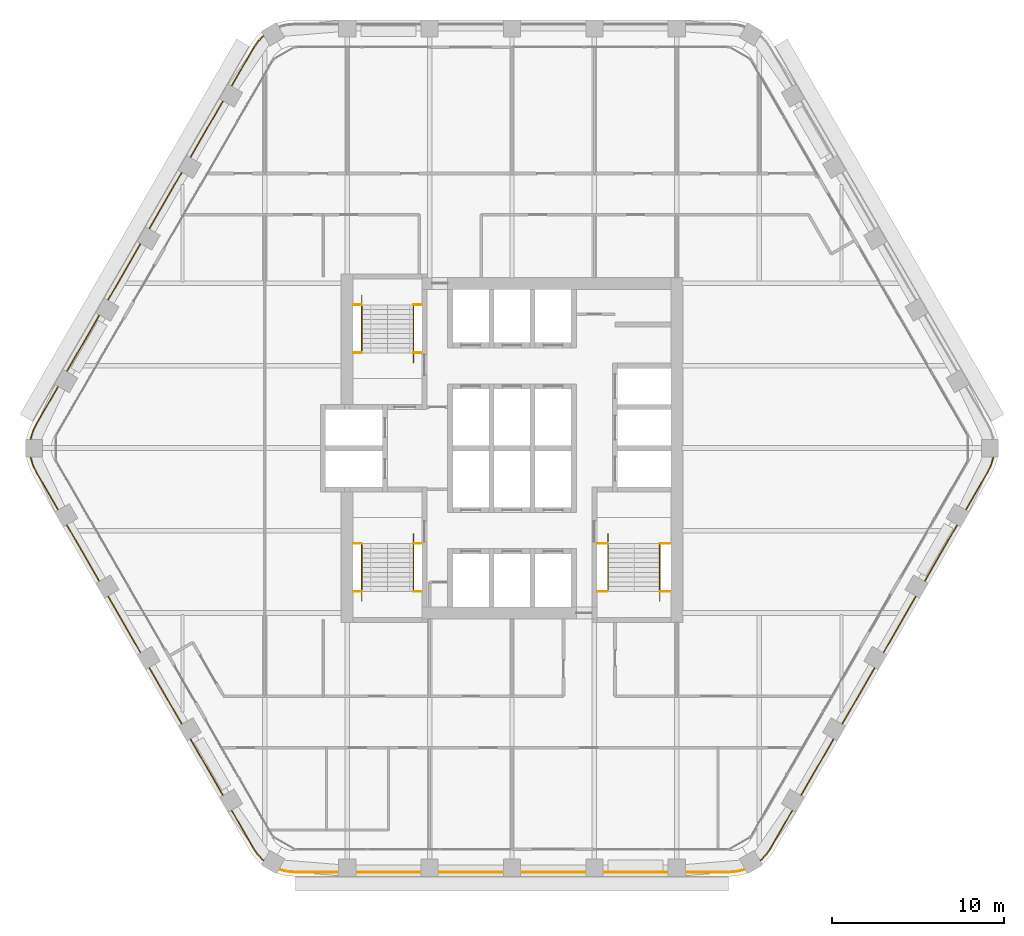
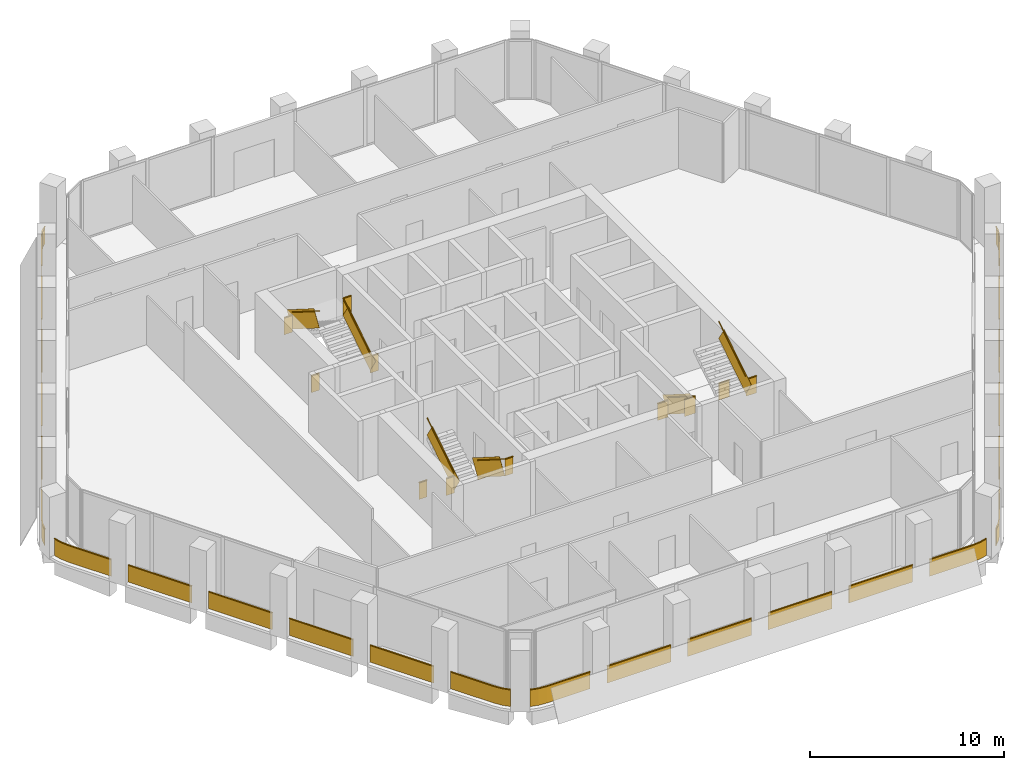
# One storey, part 14 of 15: 10 railings.
"""IFC4 building model written with IfcOpenShell, lengths in metres."""

from ifc_helpers import new_model, si_unit, direction, frame, frame_2d, origin, origin_2d, place, context, subcontext, project, spatial, rectangle, extrude, material, type_object, element, save


model = new_model("IFC4")

# Units and contexts
model_context = context("Model", 3, precision=1e-05, world=origin(), true_north=direction((0.0, 1.0)))
body_context = subcontext(model_context, "Body", "Model", "MODEL_VIEW")
ifc_project = project(units=[si_unit("LENGTHUNIT", "METRE"), si_unit("AREAUNIT", "SQUARE_METRE"), si_unit("VOLUMEUNIT", "CUBIC_METRE"), si_unit("PLANEANGLEUNIT", "RADIAN"), si_unit("MASSUNIT", "GRAM", prefix="KILO")], contexts=[model_context])

# Site, building, storey
site_placement = place(None, origin())
site = spatial("IfcSite", under=ifc_project, at=site_placement, CompositionType="ELEMENT")
building_placement = place(site_placement, origin())
building = spatial("IfcBuilding", under=site, at=building_placement, Name="Kolab Exchange Tower", CompositionType="ELEMENT")
storey_placement = place(building_placement, frame((0.0, 0.0, 201.199951171875)))
storey = spatial("IfcBuildingStorey", under=building, at=storey_placement, Name="L43", CompositionType="ELEMENT", Elevation=201.199951171875)

# Railings
ifc_material_1 = material(Name="Stainless steel 316", Category="steel")
railing_type_1 = type_object("IfcRailingType", Name="GUARD 1100", PredefinedType="GUARDRAIL", material=ifc_material_1)
railing_1_placement = place(storey_placement, frame((-9.25, 5.550048828125, 0.0)))
element("IfcRailing", 1, at=railing_1_placement, inside=storey, type_object=railing_type_1, Name="Guard ST1", PredefinedType="GUARDRAIL", context=body_context, shape_type="SweptSolid", body=[
    extrude(rectangle(XDim=0.05, YDim=0.05, at=origin_2d()), frame((0.0, 0.0, 1.0751953125), z_axis=(1.0, 0.0, 0.0), x_axis=(0.0, 1.0, 0.0)), (0.0, 0.0, 1.0), 0.489990234375),
    extrude(rectangle(XDim=0.012, YDim=1.05009765625, at=frame_2d((0.0, 0.525146484375))), frame((0.0, 0.0, 0.0), z_axis=(1.0, 0.0, 0.0), x_axis=(0.0, 1.0, 0.0)), (0.0, 0.0, 1.0), 0.489990234375),
    extrude(rectangle(XDim=0.05, YDim=0.05, at=origin_2d()), frame((3.510009765625, 0.0, 1.0751953125), z_axis=(1.0, 0.0, 0.0), x_axis=(0.0, 1.0, 0.0)), (0.0, 0.0, 1.0), 0.489990234375),
    extrude(rectangle(XDim=0.012, YDim=1.05009765625, at=frame_2d((0.0, 0.525146484375))), frame((3.510009765625, 0.0, 0.0), z_axis=(1.0, 0.0, 0.0), x_axis=(0.0, 1.0, 0.0)), (0.0, 0.0, 1.0), 0.489990234375),
    extrude(rectangle(XDim=0.05, YDim=0.05, at=origin_2d()), frame((0.0, 2.800048828125, 3.025146484375), z_axis=(1.0, 0.0, 0.0), x_axis=(0.0, 1.0, 0.0)), (0.0, 0.0, 1.0), 0.489990234375),
    extrude(rectangle(XDim=0.012, YDim=1.05009765625, at=frame_2d((0.0, 0.525146484375))), frame((0.0, 2.800048828125, 1.949951171875), z_axis=(1.0, 0.0, 0.0), x_axis=(0.0, 1.0, 0.0)), (0.0, 0.0, 1.0), 0.489990234375),
    extrude(rectangle(XDim=0.05, YDim=0.05, at=origin_2d()), frame((3.510009765625, 2.800048828125, 3.025146484375), z_axis=(1.0, 0.0, 0.0), x_axis=(0.0, 1.0, 0.0)), (0.0, 0.0, 1.0), 0.489990234375),
    extrude(rectangle(XDim=0.012, YDim=1.05009765625, at=frame_2d((0.0, 0.525146484375))), frame((3.510009765625, 2.800048828125, 1.949951171875), z_axis=(1.0, 0.0, 0.0), x_axis=(0.0, 1.0, 0.0)), (0.0, 0.0, 1.0), 0.489990234375),
])
railing_2_placement = place(storey_placement, frame((-5.739990234375, 5.550048828125, 0.17724609375)))
element("IfcRailing", 2, at=railing_2_placement, inside=storey, type_object=railing_type_1, Name="Handrail guard ST1", PredefinedType="GUARDRAIL", context=body_context, shape_type="SweptSolid", body=[
    extrude(rectangle(XDim=0.05, YDim=0.05, at=origin_2d()), frame((0.0, 0.0, 1.0751953125), z_axis=(0.0, 0.844908973607, 0.534910110503), x_axis=(-1.0, 0.0, 0.0)), (0.0, 0.0, 1.0), 3.31396484375),
    extrude(rectangle(XDim=0.012, YDim=1.05009765625, at=frame_2d((0.0, 0.525146484375))), frame((0.0, 0.0, 0.0), z_axis=(0.0, 0.844908973607, 0.534910110503), x_axis=(-1.0, 0.0, 0.0)), (0.0, 0.0, 1.0), 3.31396484375),
    extrude(rectangle(XDim=0.05, YDim=0.05, at=origin_2d()), frame((-3.02001953125, 2.800048828125, 3.025390625), z_axis=(0.0, -0.844908973607, 0.534910110503), x_axis=(1.0, 0.0, 0.0)), (0.0, 0.0, 1.0), 3.31396484375),
    extrude(rectangle(XDim=0.012, YDim=1.05009765625, at=frame_2d((0.0, 0.525146484375))), frame((-3.02001953125, 2.800048828125, 1.9501953125), z_axis=(0.0, -0.844908973607, 0.534910110503), x_axis=(1.0, 0.0, 0.0)), (0.0, 0.0, 1.0), 3.31396484375),
])
railing_3_placement = place(storey_placement, frame((-9.25, -5.550048828125, 0.0)))
element("IfcRailing", 3, at=railing_3_placement, inside=storey, type_object=railing_type_1, Name="Guard ST3", PredefinedType="GUARDRAIL", context=body_context, shape_type="SweptSolid", body=[
    extrude(rectangle(XDim=0.05, YDim=0.05, at=origin_2d()), frame((0.0, 0.0, 1.0751953125), z_axis=(1.0, 0.0, 0.0), x_axis=(0.0, 1.0, 0.0)), (0.0, 0.0, 1.0), 0.489990234375),
    extrude(rectangle(XDim=0.012, YDim=1.05009765625, at=frame_2d((0.0, 0.525146484375))), frame((0.0, 0.0, 0.0), z_axis=(1.0, 0.0, 0.0), x_axis=(0.0, 1.0, 0.0)), (0.0, 0.0, 1.0), 0.489990234375),
    extrude(rectangle(XDim=0.05, YDim=0.05, at=origin_2d()), frame((3.510009765625, 0.0, 1.0751953125), z_axis=(1.0, 0.0, 0.0), x_axis=(0.0, 1.0, 0.0)), (0.0, 0.0, 1.0), 0.489990234375),
    extrude(rectangle(XDim=0.012, YDim=1.05009765625, at=frame_2d((0.0, 0.525146484375))), frame((3.510009765625, 0.0, 0.0), z_axis=(1.0, 0.0, 0.0), x_axis=(0.0, 1.0, 0.0)), (0.0, 0.0, 1.0), 0.489990234375),
    extrude(rectangle(XDim=0.05, YDim=0.05, at=origin_2d()), frame((0.0, -2.800048828125, 3.025146484375), z_axis=(1.0, 0.0, 0.0), x_axis=(0.0, 1.0, 0.0)), (0.0, 0.0, 1.0), 0.489990234375),
    extrude(rectangle(XDim=0.012, YDim=1.05009765625, at=frame_2d((0.0, 0.525146484375))), frame((0.0, -2.800048828125, 1.949951171875), z_axis=(1.0, 0.0, 0.0), x_axis=(0.0, 1.0, 0.0)), (0.0, 0.0, 1.0), 0.489990234375),
    extrude(rectangle(XDim=0.05, YDim=0.05, at=origin_2d()), frame((3.510009765625, -2.800048828125, 3.025146484375), z_axis=(1.0, 0.0, 0.0), x_axis=(0.0, 1.0, 0.0)), (0.0, 0.0, 1.0), 0.489990234375),
    extrude(rectangle(XDim=0.012, YDim=1.05009765625, at=frame_2d((0.0, 0.525146484375))), frame((3.510009765625, -2.800048828125, 1.949951171875), z_axis=(1.0, 0.0, 0.0), x_axis=(0.0, 1.0, 0.0)), (0.0, 0.0, 1.0), 0.489990234375),
])
railing_4_placement = place(storey_placement, frame((-5.739990234375, -5.550048828125, 0.17724609375)))
element("IfcRailing", 4, at=railing_4_placement, inside=storey, type_object=railing_type_1, Name="Handrail guard ST3", PredefinedType="GUARDRAIL", context=body_context, shape_type="SweptSolid", body=[
    extrude(rectangle(XDim=0.05, YDim=0.05, at=origin_2d()), frame((0.0, 0.0, 1.0751953125), z_axis=(0.0, -0.844908973607, 0.534910110503), x_axis=(1.0, 0.0, 0.0)), (0.0, 0.0, 1.0), 3.31396484375),
    extrude(rectangle(XDim=0.012, YDim=1.05009765625, at=frame_2d((0.0, 0.525146484375))), frame((0.0, 0.0, 0.0), z_axis=(0.0, -0.844908973607, 0.534910110503), x_axis=(1.0, 0.0, 0.0)), (0.0, 0.0, 1.0), 3.31396484375),
    extrude(rectangle(XDim=0.05, YDim=0.05, at=origin_2d()), frame((-3.02001953125, -2.800048828125, 3.025390625), z_axis=(0.0, 0.844908973607, 0.534910110503), x_axis=(-1.0, 0.0, 0.0)), (0.0, 0.0, 1.0), 3.31396484375),
    extrude(rectangle(XDim=0.012, YDim=1.05009765625, at=frame_2d((0.0, 0.525146484375))), frame((-3.02001953125, -2.800048828125, 1.9501953125), z_axis=(0.0, 0.844908973607, 0.534910110503), x_axis=(-1.0, 0.0, 0.0)), (0.0, 0.0, 1.0), 3.31396484375),
])
railing_5_placement = place(storey_placement, frame((4.949951171875, -5.550048828125, 0.0)))
element("IfcRailing", 5, at=railing_5_placement, inside=storey, type_object=railing_type_1, Name="Guard ST2", PredefinedType="GUARDRAIL", context=body_context, shape_type="SweptSolid", body=[
    extrude(rectangle(XDim=0.05, YDim=0.05, at=origin_2d()), frame((0.0, 0.0, 1.0751953125), z_axis=(1.0, 0.0, 0.0), x_axis=(0.0, 1.0, 0.0)), (0.0, 0.0, 1.0), 0.64013671875),
    extrude(rectangle(XDim=0.012, YDim=1.05009765625, at=frame_2d((0.0, 0.525146484375))), frame((0.0, 0.0, 0.0), z_axis=(1.0, 0.0, 0.0), x_axis=(0.0, 1.0, 0.0)), (0.0, 0.0, 1.0), 0.64013671875),
    extrude(rectangle(XDim=0.05, YDim=0.05, at=origin_2d()), frame((3.66015625, 0.0, 1.0751953125), z_axis=(1.0, 0.0, 0.0), x_axis=(0.0, 1.0, 0.0)), (0.0, 0.0, 1.0), 0.639892578125),
    extrude(rectangle(XDim=0.012, YDim=1.05009765625, at=frame_2d((0.0, 0.525146484375))), frame((3.66015625, 0.0, 0.0), z_axis=(1.0, 0.0, 0.0), x_axis=(0.0, 1.0, 0.0)), (0.0, 0.0, 1.0), 0.639892578125),
    extrude(rectangle(XDim=0.05, YDim=0.05, at=origin_2d()), frame((0.0, -2.800048828125, 3.025146484375), z_axis=(1.0, 0.0, 0.0), x_axis=(0.0, 1.0, 0.0)), (0.0, 0.0, 1.0), 0.64013671875),
    extrude(rectangle(XDim=0.012, YDim=1.05009765625, at=frame_2d((0.0, 0.525146484375))), frame((0.0, -2.800048828125, 1.949951171875), z_axis=(1.0, 0.0, 0.0), x_axis=(0.0, 1.0, 0.0)), (0.0, 0.0, 1.0), 0.64013671875),
    extrude(rectangle(XDim=0.05, YDim=0.05, at=origin_2d()), frame((3.66015625, -2.800048828125, 3.025146484375), z_axis=(1.0, 0.0, 0.0), x_axis=(0.0, 1.0, 0.0)), (0.0, 0.0, 1.0), 0.639892578125),
    extrude(rectangle(XDim=0.012, YDim=1.05009765625, at=frame_2d((0.0, 0.525146484375))), frame((3.66015625, -2.800048828125, 1.949951171875), z_axis=(1.0, 0.0, 0.0), x_axis=(0.0, 1.0, 0.0)), (0.0, 0.0, 1.0), 0.639892578125),
])
railing_6_placement = place(storey_placement, frame((5.590087890625, -5.550048828125, 0.17724609375)))
element("IfcRailing", 6, at=railing_6_placement, inside=storey, type_object=railing_type_1, Name="Handrail guard ST2", PredefinedType="GUARDRAIL", context=body_context, shape_type="SweptSolid", body=[
    extrude(rectangle(XDim=0.05, YDim=0.05, at=origin_2d()), frame((0.0, 0.0, 1.0751953125), z_axis=(0.0, -0.844908973607, 0.534910110503), x_axis=(1.0, 0.0, 0.0)), (0.0, 0.0, 1.0), 3.31396484375),
    extrude(rectangle(XDim=0.012, YDim=1.05009765625, at=frame_2d((0.0, 0.525146484375))), frame((0.0, 0.0, 0.0), z_axis=(0.0, -0.844908973607, 0.534910110503), x_axis=(1.0, 0.0, 0.0)), (0.0, 0.0, 1.0), 3.31396484375),
    extrude(rectangle(XDim=0.05, YDim=0.05, at=origin_2d()), frame((3.02001953125, -2.800048828125, 3.025390625), z_axis=(0.0, 0.844908973607, 0.534910110503), x_axis=(-1.0, 0.0, 0.0)), (0.0, 0.0, 1.0), 3.31396484375),
    extrude(rectangle(XDim=0.012, YDim=1.05009765625, at=frame_2d((0.0, 0.525146484375))), frame((3.02001953125, -2.800048828125, 1.9501953125), z_axis=(0.0, 0.844908973607, 0.534910110503), x_axis=(-1.0, 0.0, 0.0)), (0.0, 0.0, 1.0), 3.31396484375),
])
ifc_material_2 = material(Name="Steel S235", Category="steel")
railing_type_2 = type_object("IfcRailingType", Name="GUARD 1100 GLASS BALUSTRADE AND STEEL TOP RAIL", PredefinedType="GUARDRAIL", material=ifc_material_2)
railing_7_placement = place(storey_placement, frame((14.4501953125, -24.033447265625, 0.0)))
element("IfcRailing", 7, at=railing_7_placement, inside=storey, type_object=railing_type_2, Name="Guard", PredefinedType="GUARDRAIL", context=body_context, shape_type="SweptSolid", body=[
    extrude(rectangle(XDim=0.05, YDim=0.05, at=origin_2d()), frame((0.0, 0.0, 1.0751953125), z_axis=(0.70737286085, 0.706840601361, 0.0), x_axis=(-0.706840601361, 0.70737286085, 0.0)), (0.0, 0.0, 1.0), 0.458740234375),
    extrude(rectangle(XDim=0.012, YDim=1.05009765625, at=frame_2d((0.0, 0.525146484375))), frame((0.0, 0.0, 0.0), z_axis=(0.70737286085, 0.706840601361, 0.0), x_axis=(-0.706840601361, 0.70737286085, 0.0)), (0.0, 0.0, 1.0), 0.458740234375),
    extrude(rectangle(XDim=0.05, YDim=0.05, at=origin_2d()), frame((0.324462890625, 0.32421875, 1.0751953125), z_axis=(0.573599091554, 0.819136180478, 0.0), x_axis=(-0.819136180478, 0.573599091554, 0.0)), (0.0, 0.0, 1.0), 0.479248046875),
    extrude(rectangle(XDim=0.012, YDim=1.05009765625, at=frame_2d((0.0, 0.525146484375))), frame((0.324462890625, 0.32421875, 0.0), z_axis=(0.573599091554, 0.819136180478, 0.0), x_axis=(-0.819136180478, 0.573599091554, 0.0)), (0.0, 0.0, 1.0), 0.479248046875),
    extrude(rectangle(XDim=0.05, YDim=0.05, at=origin_2d()), frame((0.599365234375, 0.716796875, 1.0751953125), z_axis=(0.499952873616, 0.866052610505, 0.0), x_axis=(-0.866052610505, 0.499952873616, 0.0)), (0.0, 0.0, 1.0), 2.568115234375),
    extrude(rectangle(XDim=0.012, YDim=1.05009765625, at=frame_2d((0.0, 0.525146484375))), frame((0.599365234375, 0.716796875, 0.0), z_axis=(0.499952873616, 0.866052610505, 0.0), x_axis=(-0.866052610505, 0.499952873616, 0.0)), (0.0, 0.0, 1.0), 2.568115234375),
    extrude(rectangle(XDim=0.05, YDim=0.05, at=origin_2d()), frame((2.38330078125, 3.806884765625, 1.0751953125), z_axis=(0.499994975061, 0.866028304915, 0.0), x_axis=(-0.866028304915, 0.499994975061, 0.0)), (0.0, 0.0, 1.0), 3.7998046875),
    extrude(rectangle(XDim=0.012, YDim=1.05009765625, at=frame_2d((0.0, 0.525146484375))), frame((2.38330078125, 3.806884765625, 0.0), z_axis=(0.499994975061, 0.866028304915, 0.0), x_axis=(-0.866028304915, 0.499994975061, 0.0)), (0.0, 0.0, 1.0), 3.7998046875),
    extrude(rectangle(XDim=0.05, YDim=0.05, at=origin_2d()), frame((4.783203125, 7.9638671875, 1.0751953125), z_axis=(0.500043160704, 0.866000483506, 0.0), x_axis=(-0.866000483506, 0.500043160704, 0.0)), (0.0, 0.0, 1.0), 3.800048828125),
    extrude(rectangle(XDim=0.012, YDim=1.05009765625, at=frame_2d((0.0, 0.525146484375))), frame((4.783203125, 7.9638671875, 0.0), z_axis=(0.500043160704, 0.866000483506, 0.0), x_axis=(-0.866000483506, 0.500043160704, 0.0)), (0.0, 0.0, 1.0), 3.800048828125),
    extrude(rectangle(XDim=0.05, YDim=0.05, at=origin_2d()), frame((7.183349609375, 12.12060546875, 1.0751953125), z_axis=(0.499967155389, 0.866044365799, 0.0), x_axis=(-0.866044365799, 0.499967155389, 0.0)), (0.0, 0.0, 1.0), 3.800048828125),
    extrude(rectangle(XDim=0.012, YDim=1.05009765625, at=frame_2d((0.0, 0.525146484375))), frame((7.183349609375, 12.12060546875, 0.0), z_axis=(0.499967155389, 0.866044365799, 0.0), x_axis=(-0.866044365799, 0.499967155389, 0.0)), (0.0, 0.0, 1.0), 3.800048828125),
    extrude(rectangle(XDim=0.05, YDim=0.05, at=origin_2d()), frame((9.583251953125, 16.277587890625, 1.0751953125), z_axis=(0.500015340139, 0.86601654697, 0.0), x_axis=(-0.86601654697, 0.500015340139, 0.0)), (0.0, 0.0, 1.0), 3.80029296875),
    extrude(rectangle(XDim=0.012, YDim=1.05009765625, at=frame_2d((0.0, 0.525146484375))), frame((9.583251953125, 16.277587890625, 0.0), z_axis=(0.500015340139, 0.86601654697, 0.0), x_axis=(-0.86601654697, 0.500015340139, 0.0)), (0.0, 0.0, 1.0), 3.80029296875),
    extrude(rectangle(XDim=0.05, YDim=0.05, at=origin_2d()), frame((11.9833984375, 20.4345703125, 1.0751953125), z_axis=(0.499994038704, 0.866028845513, 0.0), x_axis=(-0.866028845513, 0.499994038704, 0.0)), (0.0, 0.0, 1.0), 2.56787109375),
    extrude(rectangle(XDim=0.012, YDim=1.05009765625, at=frame_2d((0.0, 0.525146484375))), frame((11.9833984375, 20.4345703125, 0.0), z_axis=(0.499994038704, 0.866028845513, 0.0), x_axis=(-0.866028845513, 0.499994038704, 0.0)), (0.0, 0.0, 1.0), 2.56787109375),
    extrude(rectangle(XDim=0.05, YDim=0.05, at=origin_2d()), frame((13.267333984375, 22.658447265625, 1.0751953125), z_axis=(0.422801802984, 0.906222177721, 0.0), x_axis=(-0.906222177721, 0.422801802984, 0.0)), (0.0, 0.0, 1.0), 0.479248046875),
    extrude(rectangle(XDim=0.012, YDim=1.05009765625, at=frame_2d((0.0, 0.525146484375))), frame((13.267333984375, 22.658447265625, 0.0), z_axis=(0.422801802984, 0.906222177721, 0.0), x_axis=(-0.906222177721, 0.422801802984, 0.0)), (0.0, 0.0, 1.0), 0.479248046875),
    extrude(rectangle(XDim=0.05, YDim=0.05, at=origin_2d()), frame((13.469970703125, 23.0927734375, 1.0751953125), z_axis=(0.25865627591, 0.965969425465, 0.0), x_axis=(-0.965969425465, 0.25865627591, 0.0)), (0.0, 0.0, 1.0), 0.458740234375),
    extrude(rectangle(XDim=0.012, YDim=1.05009765625, at=frame_2d((0.0, 0.525146484375))), frame((13.469970703125, 23.0927734375, 0.0), z_axis=(0.25865627591, 0.965969425465, 0.0), x_axis=(-0.965969425465, 0.25865627591, 0.0)), (0.0, 0.0, 1.0), 0.458740234375),
])
railing_8_placement = place(storey_placement, frame((-13.588623046875, -24.531005859375, 0.0)))
element("IfcRailing", 8, at=railing_8_placement, inside=storey, type_object=railing_type_2, Name="Guard", PredefinedType="GUARDRAIL", context=body_context, shape_type="SweptSolid", body=[
    extrude(rectangle(XDim=0.05, YDim=0.05, at=origin_2d()), frame((0.0, 0.0, 1.0751953125), z_axis=(0.965969425465, -0.25865627591, 0.0), x_axis=(0.25865627591, 0.965969425465, 0.0)), (0.0, 0.0, 1.0), 0.458740234375),
    extrude(rectangle(XDim=0.012, YDim=1.05009765625, at=frame_2d((0.0, 0.525146484375))), frame((0.0, 0.0, 0.0), z_axis=(0.965969425465, -0.25865627591, 0.0), x_axis=(0.25865627591, 0.965969425465, 0.0)), (0.0, 0.0, 1.0), 0.458740234375),
    extrude(rectangle(XDim=0.05, YDim=0.05, at=origin_2d()), frame((0.443115234375, -0.11865234375, 1.0751953125), z_axis=(0.996156034798, -0.087596542937, 0.0), x_axis=(0.087596542937, 0.996156034798, 0.0)), (0.0, 0.0, 1.0), 0.4794921875),
    extrude(rectangle(XDim=0.012, YDim=1.05009765625, at=frame_2d((0.0, 0.525146484375))), frame((0.443115234375, -0.11865234375, 0.0), z_axis=(0.996156034798, -0.087596542937, 0.0), x_axis=(0.087596542937, 0.996156034798, 0.0)), (0.0, 0.0, 1.0), 0.4794921875),
    extrude(rectangle(XDim=0.05, YDim=0.05, at=origin_2d()), frame((0.920654296875, -0.16064453125, 1.0751953125), z_axis=(1.0, 0.0, 0.0), x_axis=(0.0, 1.0, 0.0)), (0.0, 0.0, 1.0), 2.56787109375),
    extrude(rectangle(XDim=0.012, YDim=1.05009765625, at=frame_2d((0.0, 0.525146484375))), frame((0.920654296875, -0.16064453125, 0.0), z_axis=(1.0, 0.0, 0.0), x_axis=(0.0, 1.0, 0.0)), (0.0, 0.0, 1.0), 2.56787109375),
    extrude(rectangle(XDim=0.05, YDim=0.05, at=origin_2d()), frame((4.488525390625, -0.16064453125, 1.0751953125), z_axis=(1.0, 0.0, 0.0), x_axis=(0.0, 1.0, 0.0)), (0.0, 0.0, 1.0), 3.800048828125),
    extrude(rectangle(XDim=0.012, YDim=1.05009765625, at=frame_2d((0.0, 0.525146484375))), frame((4.488525390625, -0.16064453125, 0.0), z_axis=(1.0, 0.0, 0.0), x_axis=(0.0, 1.0, 0.0)), (0.0, 0.0, 1.0), 3.800048828125),
    extrude(rectangle(XDim=0.05, YDim=0.05, at=origin_2d()), frame((9.28857421875, -0.16064453125, 1.0751953125), z_axis=(1.0, 0.0, 0.0), x_axis=(0.0, 1.0, 0.0)), (0.0, 0.0, 1.0), 3.800048828125),
    extrude(rectangle(XDim=0.012, YDim=1.05009765625, at=frame_2d((0.0, 0.525146484375))), frame((9.28857421875, -0.16064453125, 0.0), z_axis=(1.0, 0.0, 0.0), x_axis=(0.0, 1.0, 0.0)), (0.0, 0.0, 1.0), 3.800048828125),
    extrude(rectangle(XDim=0.05, YDim=0.05, at=origin_2d()), frame((14.088623046875, -0.16064453125, 1.0751953125), z_axis=(1.0, 0.0, 0.0), x_axis=(0.0, 1.0, 0.0)), (0.0, 0.0, 1.0), 3.800048828125),
    extrude(rectangle(XDim=0.012, YDim=1.05009765625, at=frame_2d((0.0, 0.525146484375))), frame((14.088623046875, -0.16064453125, 0.0), z_axis=(1.0, 0.0, 0.0), x_axis=(0.0, 1.0, 0.0)), (0.0, 0.0, 1.0), 3.800048828125),
    extrude(rectangle(XDim=0.05, YDim=0.05, at=origin_2d()), frame((18.888671875, -0.16064453125, 1.0751953125), z_axis=(1.0, 0.0, 0.0), x_axis=(0.0, 1.0, 0.0)), (0.0, 0.0, 1.0), 3.800048828125),
    extrude(rectangle(XDim=0.012, YDim=1.05009765625, at=frame_2d((0.0, 0.525146484375))), frame((18.888671875, -0.16064453125, 0.0), z_axis=(1.0, 0.0, 0.0), x_axis=(0.0, 1.0, 0.0)), (0.0, 0.0, 1.0), 3.800048828125),
    extrude(rectangle(XDim=0.05, YDim=0.05, at=origin_2d()), frame((23.688720703125, -0.16064453125, 1.0751953125), z_axis=(1.0, 0.0, 0.0), x_axis=(0.0, 1.0, 0.0)), (0.0, 0.0, 1.0), 2.56787109375),
    extrude(rectangle(XDim=0.012, YDim=1.05009765625, at=frame_2d((0.0, 0.525146484375))), frame((23.688720703125, -0.16064453125, 0.0), z_axis=(1.0, 0.0, 0.0), x_axis=(0.0, 1.0, 0.0)), (0.0, 0.0, 1.0), 2.56787109375),
    extrude(rectangle(XDim=0.05, YDim=0.05, at=origin_2d()), frame((26.256591796875, -0.16064453125, 1.0751953125), z_axis=(0.996156034798, 0.087596542937, 0.0), x_axis=(-0.087596542937, 0.996156034798, 0.0)), (0.0, 0.0, 1.0), 0.4794921875),
    extrude(rectangle(XDim=0.012, YDim=1.05009765625, at=frame_2d((0.0, 0.525146484375))), frame((26.256591796875, -0.16064453125, 0.0), z_axis=(0.996156034798, 0.087596542937, 0.0), x_axis=(-0.087596542937, 0.996156034798, 0.0)), (0.0, 0.0, 1.0), 0.4794921875),
    extrude(rectangle(XDim=0.05, YDim=0.05, at=origin_2d()), frame((26.734130859375, -0.11865234375, 1.0751953125), z_axis=(0.965969425465, 0.25865627591, 0.0), x_axis=(-0.25865627591, 0.965969425465, 0.0)), (0.0, 0.0, 1.0), 0.458740234375),
    extrude(rectangle(XDim=0.012, YDim=1.05009765625, at=frame_2d((0.0, 0.525146484375))), frame((26.734130859375, -0.11865234375, 0.0), z_axis=(0.965969425465, 0.25865627591, 0.0), x_axis=(-0.25865627591, 0.965969425465, 0.0)), (0.0, 0.0, 1.0), 0.458740234375),
])
railing_9_placement = place(storey_placement, frame((-28.038818359375, -0.49755859375, 0.0)))
element("IfcRailing", 9, at=railing_9_placement, inside=storey, type_object=railing_type_2, Name="Guard", PredefinedType="GUARDRAIL", context=body_context, shape_type="SweptSolid", body=[
    extrude(rectangle(XDim=0.05, YDim=0.05, at=origin_2d()), frame((0.0, 0.0, 1.0751953125), z_axis=(0.25865627591, -0.965969425465, 0.0), x_axis=(0.965969425465, 0.25865627591, 0.0)), (0.0, 0.0, 1.0), 0.458740234375),
    extrude(rectangle(XDim=0.012, YDim=1.05009765625, at=frame_2d((0.0, 0.525146484375))), frame((0.0, 0.0, 0.0), z_axis=(0.25865627591, -0.965969425465, 0.0), x_axis=(0.965969425465, 0.25865627591, 0.0)), (0.0, 0.0, 1.0), 0.458740234375),
    extrude(rectangle(XDim=0.05, YDim=0.05, at=origin_2d()), frame((0.11865234375, -0.443115234375, 1.0751953125), z_axis=(0.422801802984, -0.906222177721, 0.0), x_axis=(0.906222177721, 0.422801802984, 0.0)), (0.0, 0.0, 1.0), 0.479248046875),
    extrude(rectangle(XDim=0.012, YDim=1.05009765625, at=frame_2d((0.0, 0.525146484375))), frame((0.11865234375, -0.443115234375, 0.0), z_axis=(0.422801802984, -0.906222177721, 0.0), x_axis=(0.906222177721, 0.422801802984, 0.0)), (0.0, 0.0, 1.0), 0.479248046875),
    extrude(rectangle(XDim=0.05, YDim=0.05, at=origin_2d()), frame((0.3212890625, -0.87744140625, 1.0751953125), z_axis=(0.499994038704, -0.866028845513, 0.0), x_axis=(0.866028845513, 0.499994038704, 0.0)), (0.0, 0.0, 1.0), 2.56787109375),
    extrude(rectangle(XDim=0.012, YDim=1.05009765625, at=frame_2d((0.0, 0.525146484375))), frame((0.3212890625, -0.87744140625, 0.0), z_axis=(0.499994038704, -0.866028845513, 0.0), x_axis=(0.866028845513, 0.499994038704, 0.0)), (0.0, 0.0, 1.0), 2.56787109375),
    extrude(rectangle(XDim=0.05, YDim=0.05, at=origin_2d()), frame((2.105224609375, -3.96728515625, 1.0751953125), z_axis=(0.500015340139, -0.86601654697, 0.0), x_axis=(0.86601654697, 0.500015340139, 0.0)), (0.0, 0.0, 1.0), 3.80029296875),
    extrude(rectangle(XDim=0.012, YDim=1.05009765625, at=frame_2d((0.0, 0.525146484375))), frame((2.105224609375, -3.96728515625, 0.0), z_axis=(0.500015340139, -0.86601654697, 0.0), x_axis=(0.86601654697, 0.500015340139, 0.0)), (0.0, 0.0, 1.0), 3.80029296875),
    extrude(rectangle(XDim=0.05, YDim=0.05, at=origin_2d()), frame((4.50537109375, -8.124267578125, 1.0751953125), z_axis=(0.499967155389, -0.866044365799, 0.0), x_axis=(0.866044365799, 0.499967155389, 0.0)), (0.0, 0.0, 1.0), 3.800048828125),
    extrude(rectangle(XDim=0.012, YDim=1.05009765625, at=frame_2d((0.0, 0.525146484375))), frame((4.50537109375, -8.124267578125, 0.0), z_axis=(0.499967155389, -0.866044365799, 0.0), x_axis=(0.866044365799, 0.499967155389, 0.0)), (0.0, 0.0, 1.0), 3.800048828125),
    extrude(rectangle(XDim=0.05, YDim=0.05, at=origin_2d()), frame((6.9052734375, -12.28125, 1.0751953125), z_axis=(0.500043160704, -0.866000483506, 0.0), x_axis=(0.866000483506, 0.500043160704, 0.0)), (0.0, 0.0, 1.0), 3.800048828125),
    extrude(rectangle(XDim=0.012, YDim=1.05009765625, at=frame_2d((0.0, 0.525146484375))), frame((6.9052734375, -12.28125, 0.0), z_axis=(0.500043160704, -0.866000483506, 0.0), x_axis=(0.866000483506, 0.500043160704, 0.0)), (0.0, 0.0, 1.0), 3.800048828125),
    extrude(rectangle(XDim=0.05, YDim=0.05, at=origin_2d()), frame((9.305419921875, -16.438232421875, 1.0751953125), z_axis=(0.499994975061, -0.866028304915, 0.0), x_axis=(0.866028304915, 0.499994975061, 0.0)), (0.0, 0.0, 1.0), 3.7998046875),
    extrude(rectangle(XDim=0.012, YDim=1.05009765625, at=frame_2d((0.0, 0.525146484375))), frame((9.305419921875, -16.438232421875, 0.0), z_axis=(0.499994975061, -0.866028304915, 0.0), x_axis=(0.866028304915, 0.499994975061, 0.0)), (0.0, 0.0, 1.0), 3.7998046875),
    extrude(rectangle(XDim=0.05, YDim=0.05, at=origin_2d()), frame((11.705322265625, -20.594970703125, 1.0751953125), z_axis=(0.499952873616, -0.866052610505, 0.0), x_axis=(0.866052610505, 0.499952873616, 0.0)), (0.0, 0.0, 1.0), 2.568115234375),
    extrude(rectangle(XDim=0.012, YDim=1.05009765625, at=frame_2d((0.0, 0.525146484375))), frame((11.705322265625, -20.594970703125, 0.0), z_axis=(0.499952873616, -0.866052610505, 0.0), x_axis=(0.866052610505, 0.499952873616, 0.0)), (0.0, 0.0, 1.0), 2.568115234375),
    extrude(rectangle(XDim=0.05, YDim=0.05, at=origin_2d()), frame((12.9892578125, -22.819091796875, 1.0751953125), z_axis=(0.573599091554, -0.819136180478, 0.0), x_axis=(0.819136180478, 0.573599091554, 0.0)), (0.0, 0.0, 1.0), 0.479248046875),
    extrude(rectangle(XDim=0.012, YDim=1.05009765625, at=frame_2d((0.0, 0.525146484375))), frame((12.9892578125, -22.819091796875, 0.0), z_axis=(0.573599091554, -0.819136180478, 0.0), x_axis=(0.819136180478, 0.573599091554, 0.0)), (0.0, 0.0, 1.0), 0.479248046875),
    extrude(rectangle(XDim=0.05, YDim=0.05, at=origin_2d()), frame((13.26416015625, -23.211669921875, 1.0751953125), z_axis=(0.70737286085, -0.706840601361, 0.0), x_axis=(0.706840601361, 0.70737286085, 0.0)), (0.0, 0.0, 1.0), 0.458740234375),
    extrude(rectangle(XDim=0.012, YDim=1.05009765625, at=frame_2d((0.0, 0.525146484375))), frame((13.26416015625, -23.211669921875, 0.0), z_axis=(0.70737286085, -0.706840601361, 0.0), x_axis=(0.706840601361, 0.70737286085, 0.0)), (0.0, 0.0, 1.0), 0.458740234375),
])
railing_10_placement = place(storey_placement, frame((-14.4501953125, 24.033447265625, 0.0)))
element("IfcRailing", 10, at=railing_10_placement, inside=storey, type_object=railing_type_2, Name="Guard", PredefinedType="GUARDRAIL", context=body_context, shape_type="SweptSolid", body=[
    extrude(rectangle(XDim=0.05, YDim=0.05, at=origin_2d()), frame((0.0, 0.0, 1.0751953125), z_axis=(-0.70737286085, -0.706840601361, 0.0), x_axis=(0.706840601361, -0.70737286085, 0.0)), (0.0, 0.0, 1.0), 0.458740234375),
    extrude(rectangle(XDim=0.012, YDim=1.05009765625, at=frame_2d((0.0, 0.525146484375))), frame((0.0, 0.0, 0.0), z_axis=(-0.70737286085, -0.706840601361, 0.0), x_axis=(0.706840601361, -0.70737286085, 0.0)), (0.0, 0.0, 1.0), 0.458740234375),
    extrude(rectangle(XDim=0.05, YDim=0.05, at=origin_2d()), frame((-0.324462890625, -0.32421875, 1.0751953125), z_axis=(-0.573599091554, -0.819136180478, 0.0), x_axis=(0.819136180478, -0.573599091554, 0.0)), (0.0, 0.0, 1.0), 0.479248046875),
    extrude(rectangle(XDim=0.012, YDim=1.05009765625, at=frame_2d((0.0, 0.525146484375))), frame((-0.324462890625, -0.32421875, 0.0), z_axis=(-0.573599091554, -0.819136180478, 0.0), x_axis=(0.819136180478, -0.573599091554, 0.0)), (0.0, 0.0, 1.0), 0.479248046875),
    extrude(rectangle(XDim=0.05, YDim=0.05, at=origin_2d()), frame((-0.599365234375, -0.716796875, 1.0751953125), z_axis=(-0.499952873616, -0.866052610505, 0.0), x_axis=(0.866052610505, -0.499952873616, 0.0)), (0.0, 0.0, 1.0), 2.568115234375),
    extrude(rectangle(XDim=0.012, YDim=1.05009765625, at=frame_2d((0.0, 0.525146484375))), frame((-0.599365234375, -0.716796875, 0.0), z_axis=(-0.499952873616, -0.866052610505, 0.0), x_axis=(0.866052610505, -0.499952873616, 0.0)), (0.0, 0.0, 1.0), 2.568115234375),
    extrude(rectangle(XDim=0.05, YDim=0.05, at=origin_2d()), frame((-2.38330078125, -3.806884765625, 1.0751953125), z_axis=(-0.499994975061, -0.866028304915, 0.0), x_axis=(0.866028304915, -0.499994975061, 0.0)), (0.0, 0.0, 1.0), 3.7998046875),
    extrude(rectangle(XDim=0.012, YDim=1.05009765625, at=frame_2d((0.0, 0.525146484375))), frame((-2.38330078125, -3.806884765625, 0.0), z_axis=(-0.499994975061, -0.866028304915, 0.0), x_axis=(0.866028304915, -0.499994975061, 0.0)), (0.0, 0.0, 1.0), 3.7998046875),
    extrude(rectangle(XDim=0.05, YDim=0.05, at=origin_2d()), frame((-4.783203125, -7.9638671875, 1.0751953125), z_axis=(-0.500043160704, -0.866000483506, 0.0), x_axis=(0.866000483506, -0.500043160704, 0.0)), (0.0, 0.0, 1.0), 3.800048828125),
    extrude(rectangle(XDim=0.012, YDim=1.05009765625, at=frame_2d((0.0, 0.525146484375))), frame((-4.783203125, -7.9638671875, 0.0), z_axis=(-0.500043160704, -0.866000483506, 0.0), x_axis=(0.866000483506, -0.500043160704, 0.0)), (0.0, 0.0, 1.0), 3.800048828125),
    extrude(rectangle(XDim=0.05, YDim=0.05, at=origin_2d()), frame((-7.183349609375, -12.12060546875, 1.0751953125), z_axis=(-0.499967155389, -0.866044365799, 0.0), x_axis=(0.866044365799, -0.499967155389, 0.0)), (0.0, 0.0, 1.0), 3.800048828125),
    extrude(rectangle(XDim=0.012, YDim=1.05009765625, at=frame_2d((0.0, 0.525146484375))), frame((-7.183349609375, -12.12060546875, 0.0), z_axis=(-0.499967155389, -0.866044365799, 0.0), x_axis=(0.866044365799, -0.499967155389, 0.0)), (0.0, 0.0, 1.0), 3.800048828125),
    extrude(rectangle(XDim=0.05, YDim=0.05, at=origin_2d()), frame((-9.583251953125, -16.277587890625, 1.0751953125), z_axis=(-0.500015340139, -0.86601654697, 0.0), x_axis=(0.86601654697, -0.500015340139, 0.0)), (0.0, 0.0, 1.0), 3.80029296875),
    extrude(rectangle(XDim=0.012, YDim=1.05009765625, at=frame_2d((0.0, 0.525146484375))), frame((-9.583251953125, -16.277587890625, 0.0), z_axis=(-0.500015340139, -0.86601654697, 0.0), x_axis=(0.86601654697, -0.500015340139, 0.0)), (0.0, 0.0, 1.0), 3.80029296875),
    extrude(rectangle(XDim=0.05, YDim=0.05, at=origin_2d()), frame((-11.9833984375, -20.4345703125, 1.0751953125), z_axis=(-0.499994038704, -0.866028845513, 0.0), x_axis=(0.866028845513, -0.499994038704, 0.0)), (0.0, 0.0, 1.0), 2.56787109375),
    extrude(rectangle(XDim=0.012, YDim=1.05009765625, at=frame_2d((0.0, 0.525146484375))), frame((-11.9833984375, -20.4345703125, 0.0), z_axis=(-0.499994038704, -0.866028845513, 0.0), x_axis=(0.866028845513, -0.499994038704, 0.0)), (0.0, 0.0, 1.0), 2.56787109375),
    extrude(rectangle(XDim=0.05, YDim=0.05, at=origin_2d()), frame((-13.267333984375, -22.658447265625, 1.0751953125), z_axis=(-0.422801802984, -0.906222177721, 0.0), x_axis=(0.906222177721, -0.422801802984, 0.0)), (0.0, 0.0, 1.0), 0.479248046875),
    extrude(rectangle(XDim=0.012, YDim=1.05009765625, at=frame_2d((0.0, 0.525146484375))), frame((-13.267333984375, -22.658447265625, 0.0), z_axis=(-0.422801802984, -0.906222177721, 0.0), x_axis=(0.906222177721, -0.422801802984, 0.0)), (0.0, 0.0, 1.0), 0.479248046875),
    extrude(rectangle(XDim=0.05, YDim=0.05, at=origin_2d()), frame((-13.469970703125, -23.0927734375, 1.0751953125), z_axis=(-0.25865627591, -0.965969425465, 0.0), x_axis=(0.965969425465, -0.25865627591, 0.0)), (0.0, 0.0, 1.0), 0.458740234375),
    extrude(rectangle(XDim=0.012, YDim=1.05009765625, at=frame_2d((0.0, 0.525146484375))), frame((-13.469970703125, -23.0927734375, 0.0), z_axis=(-0.25865627591, -0.965969425465, 0.0), x_axis=(0.965969425465, -0.25865627591, 0.0)), (0.0, 0.0, 1.0), 0.458740234375),
])

save(model, "model.ifc")
